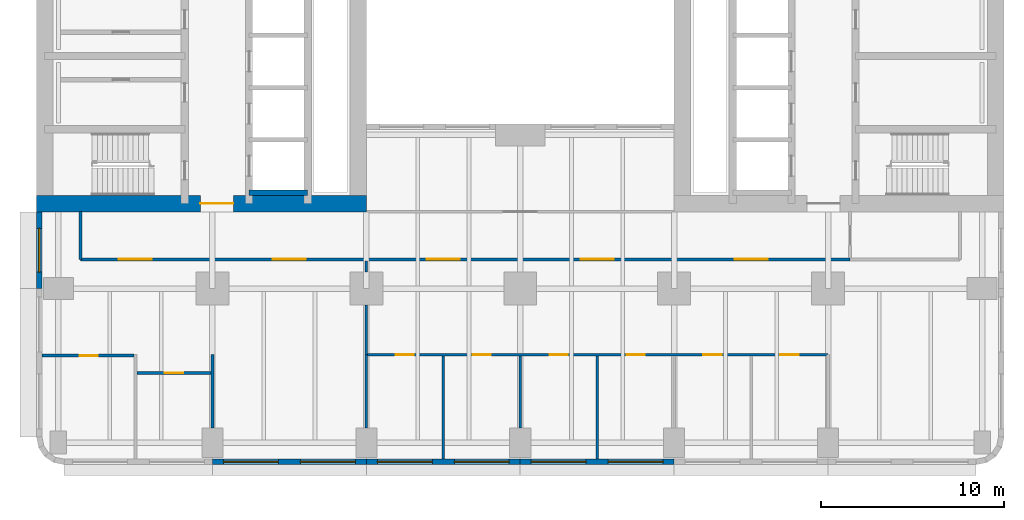
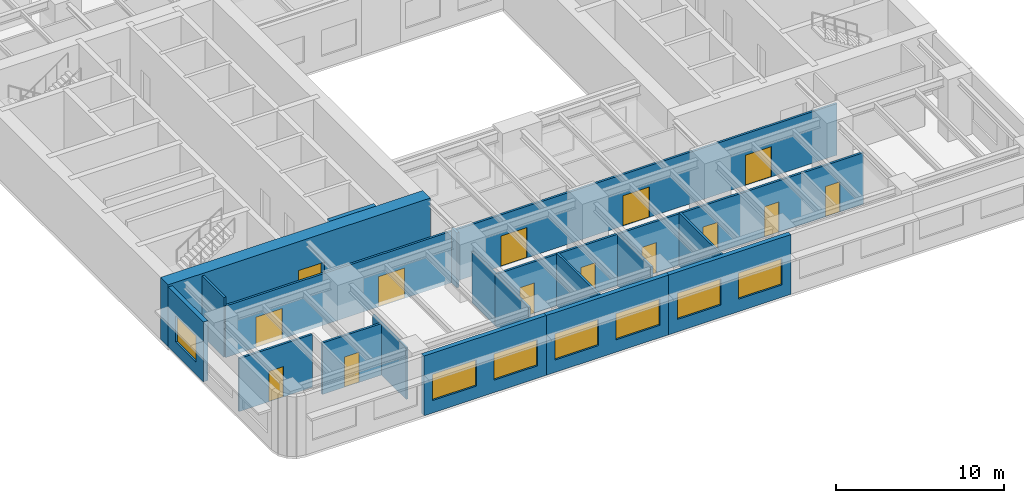
# One storey, part 3 of 12: 18 walls, 14 doors, 7 windows, 21 openings.
"""IFC4 building model written with IfcOpenShell, lengths in metres."""

import ifcopenshell
import ifcopenshell.guid

model = None  # the IFC model being written
_history = None  # IfcOwnerHistory: only IFC2X3 demands one
_inside = {}  # id of a spatial element -> (the spatial element, [elements in it])
_under = {}  # id of a project, library or spatial element -> (it, [spatial elements below it])
_declared = {}  # id of a project -> (the project, [libraries it declares])
_typed = {}  # id of a type object -> (the type object, [elements of that type])
_made_of = {}  # id of a material, layer set ... -> (it, [elements and type objects made of it])


def new_model(schema):
    """Start an empty IFC model of exactly this schema.

    Asked for "IFC4X3", IfcOpenShell would pick the latest addendum, in which some entities
    have other attributes; the version numbers below select the first issue.
    IFC2X3 requires an IfcOwnerHistory on every rooted entity: one is made here for all.
    """
    global model, _history
    if schema == "IFC4X3":
        model = ifcopenshell.file(schema_version=(4, 3, 0, 0))
    else:
        model = ifcopenshell.file(schema=schema)
    _inside.clear()
    _under.clear()
    _declared.clear()
    _typed.clear()
    _made_of.clear()
    _history = None
    if model.schema == "IFC2X3":
        org = make("IfcOrganization", Name="unknown")
        user = make(
            "IfcPersonAndOrganization",
            ThePerson=make("IfcPerson", FamilyName="unknown"),
            TheOrganization=org,
        )
        app = make(
            "IfcApplication",
            ApplicationDeveloper=org,
            Version="unknown",
            ApplicationFullName="unknown",
            ApplicationIdentifier="unknown",
        )
        _history = make(
            "IfcOwnerHistory",
            OwningUser=user,
            OwningApplication=app,
            ChangeAction="ADDED",
            CreationDate=0,
        )
    return model


def make(cls, **values):
    """One entity of the class cls with the attributes given. An attribute that is None is left unset."""
    return model.create_entity(
        cls, **{name: value for name, value in values.items() if value is not None}
    )


def rooted(cls, **values):
    """An entity with a GlobalId (a new one), such as an element, a storey or a relation."""
    return make(cls, GlobalId=ifcopenshell.guid.new(), OwnerHistory=_history, **values)


def si_unit(unit_type, name, prefix=None):
    """IfcSIUnit, for example si_unit("LENGTHUNIT", "METRE", prefix="MILLI")."""
    return make("IfcSIUnit", UnitType=unit_type, Prefix=prefix, Name=name)


def assignment(units):
    """IfcUnitAssignment: the units of a project."""
    return None if units is None else make("IfcUnitAssignment", Units=units)


def point(xyz):
    """IfcCartesianPoint."""
    return None if xyz is None else make("IfcCartesianPoint", Coordinates=xyz)


def direction(xyz):
    """IfcDirection."""
    return None if xyz is None else make("IfcDirection", DirectionRatios=xyz)


def frame(location, z_axis=None, x_axis=None):
    """IfcAxis2Placement3D, a coordinate frame: its origin and axes. An axis left out is left unset."""
    return make(
        "IfcAxis2Placement3D",
        Location=point(location),
        Axis=direction(z_axis),
        RefDirection=direction(x_axis),
    )


def frame_2d(location, x_axis=None):
    """IfcAxis2Placement2D, a coordinate frame in the plane: its origin and x axis."""
    return make(
        "IfcAxis2Placement2D", Location=point(location), RefDirection=direction(x_axis)
    )


def origin():
    """The frame at (0, 0, 0) with its axes left unset."""
    return frame((0.0, 0.0, 0.0))


def place(relative_to, where):
    """IfcLocalPlacement: puts the frame where relative to a parent placement (None: the world)."""
    return make(
        "IfcLocalPlacement", PlacementRelTo=relative_to, RelativePlacement=where
    )


def context(
    kind, dimensions, precision=None, world=None, true_north=None, identifier=None
):
    """IfcGeometricRepresentationContext, for example the 3D "Model" context."""
    return make(
        "IfcGeometricRepresentationContext",
        ContextIdentifier=identifier,
        ContextType=kind,
        CoordinateSpaceDimension=dimensions,
        Precision=precision,
        WorldCoordinateSystem=world,
        TrueNorth=true_north,
    )


def subcontext(parent, identifier, kind, view, scale=None):
    """IfcGeometricRepresentationSubContext, for example "Body" below "Model"."""
    return make(
        "IfcGeometricRepresentationSubContext",
        ContextIdentifier=identifier,
        ContextType=kind,
        ParentContext=parent,
        TargetScale=scale,
        TargetView=view,
    )


def project(units=None, contexts=None):
    """IfcProject with its units and contexts."""
    return rooted(
        "IfcProject",
        Name="project",
        RepresentationContexts=contexts,
        UnitsInContext=assignment(units),
    )


def spatial(cls, under=None, at=None, **own):
    """A site, building, storey or space (cls), placed at a placement, below another one or the project."""
    s = rooted(cls, ObjectPlacement=at, **own)
    if under is not None:
        _under.setdefault(under.id(), (under, []))[1].append(s)
    return s


def profile(cls, at=None, kind="AREA", **sizes):
    """A parametric profile (cls). Its sizes go by their IFC names, for example OverallWidth=200.0."""
    return make(cls, ProfileType=kind, Position=at, **sizes)


def rectangle(**sizes):
    """IfcRectangleProfileDef."""
    return profile("IfcRectangleProfileDef", **sizes)


def extrude(swept, where, along, depth):
    """IfcExtrudedAreaSolid: the profile swept, set in the frame where, extruded along a direction by depth."""
    return make(
        "IfcExtrudedAreaSolid",
        SweptArea=swept,
        Position=where,
        ExtrudedDirection=direction(along),
        Depth=depth,
    )


def shape(context_of_items, identifier, shape_type, items):
    """IfcShapeRepresentation: the items that make up one representation, for example the "Body"."""
    return make(
        "IfcShapeRepresentation",
        ContextOfItems=context_of_items,
        RepresentationIdentifier=identifier,
        RepresentationType=shape_type,
        Items=items,
    )


def material(Name=None, Category=None):
    """IfcMaterial."""
    return make("IfcMaterial", Name=Name, Category=Category)


def layer(
    of_material, thickness, ventilated=None, Name=None, Category=None, Priority=None
):
    """IfcMaterialLayer: one layer of a wall or slab, of a material (None: an air gap)."""
    return make(
        "IfcMaterialLayer",
        Material=of_material,
        LayerThickness=thickness,
        IsVentilated=ventilated,
        Name=Name,
        Category=Category,
        Priority=Priority,
    )


def layer_set(layers, Name=None):
    """IfcMaterialLayerSet."""
    return make("IfcMaterialLayerSet", MaterialLayers=layers, LayerSetName=Name)


def made_of(thing, what):
    """Note that an element or type object is made of a material, layer set ...; save() writes the relation."""
    if what is not None:
        _made_of.setdefault(what.id(), (what, []))[1].append(thing)
    return thing


def type_object(cls, material=None, **own):
    """A type object (cls), such as IfcWallType, which elements share."""
    return made_of(rooted(cls, **own), material)


def element(
    cls,
    number,
    at=None,
    inside=None,
    cuts=None,
    type_object=None,
    material=None,
    context=None,
    identifier="Body",
    shape_type=None,
    held_by="IfcProductDefinitionShape",
    body=None,
    shapes=None,
    **own,
):
    """One element of the class cls, such as IfcWall. Its Tag is "e" and its number.

    at: its placement. inside: the storey or other place that contains it. cuts: it is an
    opening in that element (IfcRelVoidsElement). A single representation is given by context,
    identifier, shape_type and body (its items); several are given by shapes. held_by: the class
    of the entity that holds the representations. save() writes the other relations.
    """
    e = rooted(cls, Tag="e%d" % number, ObjectPlacement=at, **own)
    if body is not None:
        shapes = [shape(context, identifier, shape_type, body)]
    if shapes is not None:
        e.Representation = make(held_by, Representations=shapes)
    if inside is not None:
        _inside.setdefault(inside.id(), (inside, []))[1].append(e)
    if cuts is not None:
        rooted(
            "IfcRelVoidsElement", RelatingBuildingElement=cuts, RelatedOpeningElement=e
        )
    if type_object is not None:
        _typed.setdefault(type_object.id(), (type_object, []))[1].append(e)
    return made_of(e, material)


def fill(opening, filler):
    """IfcRelFillsElement: the door or window that sits in an opening."""
    return rooted(
        "IfcRelFillsElement",
        RelatingOpeningElement=opening,
        RelatedBuildingElement=filler,
    )


def aggregate(whole, parts):
    """IfcRelAggregates: a whole, such as a stair, and the parts it consists of."""
    return rooted("IfcRelAggregates", RelatingObject=whole, RelatedObjects=parts)


def save(model, path):
    """Write the relations noted so far, then the file.

    IfcRelAggregates (storeys below a building ...), IfcRelContainedInSpatialStructure (elements
    in a storey), IfcRelDefinesByType, IfcRelAssociatesMaterial and IfcRelDeclares: one each for
    every whole, place, type object, material and project.
    """
    for whole, parts in _under.values():
        aggregate(whole, parts)
    for where, things in _inside.values():
        rooted(
            "IfcRelContainedInSpatialStructure",
            RelatedElements=things,
            RelatingStructure=where,
        )
    for kind, things in _typed.values():
        rooted("IfcRelDefinesByType", RelatedObjects=things, RelatingType=kind)
    for what, things in _made_of.values():
        rooted("IfcRelAssociatesMaterial", RelatedObjects=things, RelatingMaterial=what)
    for by, libraries in _declared.values():
        rooted("IfcRelDeclares", RelatingContext=by, RelatedDefinitions=libraries)
    model.write(path)


model = new_model("IFC4")

# Units and contexts
model_context = context("Model", 3, precision=1e-05, world=origin(), true_north=direction((0.0, 1.0)))
body_context = subcontext(model_context, "Body", "Model", "MODEL_VIEW")
ifc_project = project(units=[si_unit("LENGTHUNIT", "METRE"), si_unit("AREAUNIT", "SQUARE_METRE"), si_unit("VOLUMEUNIT", "CUBIC_METRE"), si_unit("PLANEANGLEUNIT", "RADIAN"), si_unit("MASSUNIT", "GRAM", prefix="KILO")], contexts=[model_context])

# Site, building, storey
site_placement = place(None, origin())
site = spatial("IfcSite", under=ifc_project, at=site_placement, CompositionType="ELEMENT")
building_placement = place(site_placement, origin())
building = spatial("IfcBuilding", under=site, at=building_placement, Name="Claustro Exchange Tower", CompositionType="ELEMENT")
storey_placement = place(building_placement, frame((0.0, 0.0, 68.39990234375)))
storey = spatial("IfcBuildingStorey", under=building, at=storey_placement, Name="L15", CompositionType="ELEMENT", Elevation=68.39990234375)

# Wall, opening, door
ifc_material_1 = material(Name="Gypsum board on steel studs", Category="steel")
ifc_layer_1 = layer(ifc_material_1, 0.14990234375)
ifc_layer_set_1 = layer_set([ifc_layer_1], Name="Gypsum board on steel studs")
wall_type_1 = type_object("IfcWallType", Name="P1 150 plasterboard partition", PredefinedType="PARTITIONING", material=ifc_layer_set_1)
wall_1_placement = place(storey_placement, frame((-0.902099609375, 4.75, 0.0), z_axis=(0.0, 0.0, 1.0), x_axis=(1.0, 0.0, 0.0)))
wall_1 = element("IfcWall", 1, at=wall_1_placement, inside=storey, type_object=wall_type_1, Name="Partition P1 L15", PredefinedType="PARTITIONING", context=body_context, shape_type="SweptSolid", body=[
    extrude(rectangle(XDim=5.028076171875, YDim=0.14990234375, at=frame_2d((2.51416015625, 0.0))), origin(), (0.0, 0.0, 1.0), 3.840087890625),
])
opening_1_placement = place(wall_1_placement, frame((2.052001953125, 0.0, 0.0)))
opening_1 = element("IfcOpeningElement", 2, at=opening_1_placement, cuts=wall_1, Name="Opening D1", PredefinedType="OPENING", context=body_context, shape_type="SweptSolid", body=[
    extrude(rectangle(XDim=1.0, YDim=2.199951171875, at=frame_2d((0.5, 1.10009765625))), frame((0.0, 0.0849609375, 0.0), z_axis=(0.0, -1.0, 0.0), x_axis=(1.0, 0.0, 0.0)), (0.0, 0.0, 1.0), 0.169921875),
])
ifc_material_2 = material(Name="Timber door, oak veneer", Category="wood")
door_type_1 = type_object("IfcDoorType", Name="D1 1000 x 2200 single door", OperationType="SINGLE_SWING_LEFT", PredefinedType="DOOR", material=ifc_material_2)
door_1_placement = place(opening_1_placement, frame((1.0, 0.0, 0.0), z_axis=(0.0, 0.0, 1.0), x_axis=(-1.0, 0.0, 0.0)))
door_1 = element("IfcDoor", 3, at=door_1_placement, inside=storey, type_object=door_type_1, Name="Door D1 L15", OperationType="SINGLE_SWING_LEFT", OverallHeight=2.199951171875, OverallWidth=1.0, PredefinedType="DOOR", context=body_context, shape_type="SweptSolid", body=[
    extrude(rectangle(XDim=1.0, YDim=2.199951171875, at=frame_2d((0.5, 1.10009765625))), frame((0.0, 0.02490234375, 0.0), z_axis=(0.0, -1.0, 0.0), x_axis=(1.0, 0.0, 0.0)), (0.0, 0.0, 1.0), 0.050048828125),
])
fill(opening_1, door_1)

wall_2_placement = place(storey_placement, frame((4.27392578125, 3.800048828125, 0.0), z_axis=(0.0, 0.0, 1.0), x_axis=(1.0, 0.0, 0.0)))
wall_2 = element("IfcWall", 4, at=wall_2_placement, inside=storey, type_object=wall_type_1, Name="Partition P1 L15", PredefinedType="PARTITIONING", context=body_context, shape_type="SweptSolid", body=[
    extrude(rectangle(XDim=4.052001953125, YDim=0.14990234375, at=frame_2d((2.02587890625, 0.0))), origin(), (0.0, 0.0, 1.0), 3.739990234375),
])
opening_2_placement = place(wall_2_placement, frame((1.52587890625, 0.0, 0.0)))
opening_2 = element("IfcOpeningElement", 5, at=opening_2_placement, cuts=wall_2, Name="Opening D1", PredefinedType="OPENING", context=body_context, shape_type="SweptSolid", body=[
    extrude(rectangle(XDim=1.0, YDim=2.199951171875, at=frame_2d((0.5, 1.10009765625))), frame((0.0, 0.0849609375, 0.0), z_axis=(0.0, -1.0, 0.0), x_axis=(1.0, 0.0, 0.0)), (0.0, 0.0, 1.0), 0.169921875),
])
door_2_placement = place(opening_2_placement, frame((1.0, 0.0, 0.0), z_axis=(0.0, 0.0, 1.0), x_axis=(-1.0, 0.0, 0.0)))
door_2 = element("IfcDoor", 6, at=door_2_placement, inside=storey, type_object=door_type_1, Name="Door D1 L15", OperationType="SINGLE_SWING_RIGHT", OverallHeight=2.199951171875, OverallWidth=1.0, PredefinedType="DOOR", context=body_context, shape_type="SweptSolid", body=[
    extrude(rectangle(XDim=1.0, YDim=2.199951171875, at=frame_2d((0.5, 1.10009765625))), frame((0.0, 0.02490234375, 0.0), z_axis=(0.0, -1.0, 0.0), x_axis=(1.0, 0.0, 0.0)), (0.0, 0.0, 1.0), 0.050048828125),
])
fill(opening_2, door_2)

# Wall
wall_3_placement = place(storey_placement, frame((8.39990234375, 0.799072265625, 0.0), z_axis=(0.0, 0.0, 1.0), x_axis=(0.0, 1.0, 0.0)))
element("IfcWall", 7, at=wall_3_placement, inside=storey, type_object=wall_type_1, Name="Partition P1 L15", PredefinedType="PARTITIONING", context=body_context, shape_type="SweptSolid", body=[
    extrude(rectangle(XDim=4.0009765625, YDim=0.14990234375, at=frame_2d((2.00048828125, 0.0))), origin(), (0.0, 0.0, 1.0), 3.739990234375),
])

# Wall, openings, doors
wall_4_placement = place(storey_placement, frame((16.8740234375, 4.800048828125, 0.0), z_axis=(0.0, 0.0, 1.0), x_axis=(1.0, 0.0, 0.0)))
wall_4 = element("IfcWall", 8, at=wall_4_placement, inside=storey, type_object=wall_type_1, Name="Partition P1 L15", PredefinedType="PARTITIONING", context=body_context, shape_type="SweptSolid", body=[
    extrude(rectangle(XDim=25.1259765625, YDim=0.14990234375, at=frame_2d((12.56298828125, 0.0))), origin(), (0.0, 0.0, 1.0), 3.739990234375),
])
opening_3_placement = place(wall_4_placement, frame((1.52587890625, 0.0, 0.0)))
opening_3 = element("IfcOpeningElement", 9, at=opening_3_placement, cuts=wall_4, Name="Opening D1", PredefinedType="OPENING", context=body_context, shape_type="SweptSolid", body=[
    extrude(rectangle(XDim=1.0, YDim=2.199951171875, at=frame_2d((0.5, 1.10009765625))), frame((0.0, 0.0849609375, 0.0), z_axis=(0.0, -1.0, 0.0), x_axis=(1.0, 0.0, 0.0)), (0.0, 0.0, 1.0), 0.169921875),
])
opening_4_placement = place(wall_4_placement, frame((5.72607421875, 0.0, 0.0)))
opening_4 = element("IfcOpeningElement", 10, at=opening_4_placement, cuts=wall_4, Name="Opening D1", PredefinedType="OPENING", context=body_context, shape_type="SweptSolid", body=[
    extrude(rectangle(XDim=1.0, YDim=2.199951171875, at=frame_2d((0.5, 1.10009765625))), frame((0.0, 0.0849609375, 0.0), z_axis=(0.0, -1.0, 0.0), x_axis=(1.0, 0.0, 0.0)), (0.0, 0.0, 1.0), 0.169921875),
])
opening_5_placement = place(wall_4_placement, frame((9.926025390625, 0.0, 0.0)))
opening_5 = element("IfcOpeningElement", 11, at=opening_5_placement, cuts=wall_4, Name="Opening D1", PredefinedType="OPENING", context=body_context, shape_type="SweptSolid", body=[
    extrude(rectangle(XDim=1.0, YDim=2.199951171875, at=frame_2d((0.5, 1.10009765625))), frame((0.0, 0.0849609375, 0.0), z_axis=(0.0, -1.0, 0.0), x_axis=(1.0, 0.0, 0.0)), (0.0, 0.0, 1.0), 0.169921875),
])
opening_6_placement = place(wall_4_placement, frame((14.1259765625, 0.0, 0.0)))
opening_6 = element("IfcOpeningElement", 12, at=opening_6_placement, cuts=wall_4, Name="Opening D1", PredefinedType="OPENING", context=body_context, shape_type="SweptSolid", body=[
    extrude(rectangle(XDim=1.0, YDim=2.199951171875, at=frame_2d((0.5, 1.10009765625))), frame((0.0, 0.0849609375, 0.0), z_axis=(0.0, -1.0, 0.0), x_axis=(1.0, 0.0, 0.0)), (0.0, 0.0, 1.0), 0.169921875),
])
opening_7_placement = place(wall_4_placement, frame((18.325927734375, 0.0, 0.0)))
opening_7 = element("IfcOpeningElement", 13, at=opening_7_placement, cuts=wall_4, Name="Opening D1", PredefinedType="OPENING", context=body_context, shape_type="SweptSolid", body=[
    extrude(rectangle(XDim=1.0, YDim=2.199951171875, at=frame_2d((0.5, 1.10009765625))), frame((0.0, 0.0849609375, 0.0), z_axis=(0.0, -1.0, 0.0), x_axis=(1.0, 0.0, 0.0)), (0.0, 0.0, 1.0), 0.169921875),
])
opening_8_placement = place(wall_4_placement, frame((22.52587890625, 0.0, 0.0)))
opening_8 = element("IfcOpeningElement", 14, at=opening_8_placement, cuts=wall_4, Name="Opening D1", PredefinedType="OPENING", context=body_context, shape_type="SweptSolid", body=[
    extrude(rectangle(XDim=1.0, YDim=2.199951171875, at=frame_2d((0.5, 1.10009765625))), frame((0.0, 0.0849609375, 0.0), z_axis=(0.0, -1.0, 0.0), x_axis=(1.0, 0.0, 0.0)), (0.0, 0.0, 1.0), 0.169921875),
])
door_3_placement = place(opening_3_placement, frame((1.0, 0.0, 0.0), z_axis=(0.0, 0.0, 1.0), x_axis=(-1.0, 0.0, 0.0)))
door_3 = element("IfcDoor", 15, at=door_3_placement, inside=storey, type_object=door_type_1, Name="Door D1 L15", OperationType="SINGLE_SWING_RIGHT", OverallHeight=2.199951171875, OverallWidth=1.0, PredefinedType="DOOR", context=body_context, shape_type="SweptSolid", body=[
    extrude(rectangle(XDim=1.0, YDim=2.199951171875, at=frame_2d((0.5, 1.10009765625))), frame((0.0, 0.02490234375, 0.0), z_axis=(0.0, -1.0, 0.0), x_axis=(1.0, 0.0, 0.0)), (0.0, 0.0, 1.0), 0.050048828125),
])
fill(opening_3, door_3)
door_4_placement = place(opening_4_placement, frame((1.0, 0.0, 0.0), z_axis=(0.0, 0.0, 1.0), x_axis=(-1.0, 0.0, 0.0)))
door_4 = element("IfcDoor", 16, at=door_4_placement, inside=storey, type_object=door_type_1, Name="Door D1 L15", OperationType="SINGLE_SWING_RIGHT", OverallHeight=2.199951171875, OverallWidth=1.0, PredefinedType="DOOR", context=body_context, shape_type="SweptSolid", body=[
    extrude(rectangle(XDim=1.0, YDim=2.199951171875, at=frame_2d((0.5, 1.10009765625))), frame((0.0, 0.02490234375, 0.0), z_axis=(0.0, -1.0, 0.0), x_axis=(1.0, 0.0, 0.0)), (0.0, 0.0, 1.0), 0.050048828125),
])
fill(opening_4, door_4)
door_5_placement = place(opening_5_placement, frame((1.0, 0.0, 0.0), z_axis=(0.0, 0.0, 1.0), x_axis=(-1.0, 0.0, 0.0)))
door_5 = element("IfcDoor", 17, at=door_5_placement, inside=storey, type_object=door_type_1, Name="Door D1 L15", OperationType="SINGLE_SWING_RIGHT", OverallHeight=2.199951171875, OverallWidth=1.0, PredefinedType="DOOR", context=body_context, shape_type="SweptSolid", body=[
    extrude(rectangle(XDim=1.0, YDim=2.199951171875, at=frame_2d((0.5, 1.10009765625))), frame((0.0, 0.02490234375, 0.0), z_axis=(0.0, -1.0, 0.0), x_axis=(1.0, 0.0, 0.0)), (0.0, 0.0, 1.0), 0.050048828125),
])
fill(opening_5, door_5)
door_6_placement = place(opening_6_placement, frame((1.0, 0.0, 0.0), z_axis=(0.0, 0.0, 1.0), x_axis=(-1.0, 0.0, 0.0)))
door_6 = element("IfcDoor", 18, at=door_6_placement, inside=storey, type_object=door_type_1, Name="Door D1 L15", OperationType="SINGLE_SWING_RIGHT", OverallHeight=2.199951171875, OverallWidth=1.0, PredefinedType="DOOR", context=body_context, shape_type="SweptSolid", body=[
    extrude(rectangle(XDim=1.0, YDim=2.199951171875, at=frame_2d((0.5, 1.10009765625))), frame((0.0, 0.02490234375, 0.0), z_axis=(0.0, -1.0, 0.0), x_axis=(1.0, 0.0, 0.0)), (0.0, 0.0, 1.0), 0.050048828125),
])
fill(opening_6, door_6)
door_7_placement = place(opening_7_placement, frame((1.0, 0.0, 0.0), z_axis=(0.0, 0.0, 1.0), x_axis=(-1.0, 0.0, 0.0)))
door_7 = element("IfcDoor", 19, at=door_7_placement, inside=storey, type_object=door_type_1, Name="Door D1 L15", OperationType="SINGLE_SWING_RIGHT", OverallHeight=2.199951171875, OverallWidth=1.0, PredefinedType="DOOR", context=body_context, shape_type="SweptSolid", body=[
    extrude(rectangle(XDim=1.0, YDim=2.199951171875, at=frame_2d((0.5, 1.10009765625))), frame((0.0, 0.02490234375, 0.0), z_axis=(0.0, -1.0, 0.0), x_axis=(1.0, 0.0, 0.0)), (0.0, 0.0, 1.0), 0.050048828125),
])
fill(opening_7, door_7)
door_8_placement = place(opening_8_placement, frame((1.0, 0.0, 0.0), z_axis=(0.0, 0.0, 1.0), x_axis=(-1.0, 0.0, 0.0)))
door_8 = element("IfcDoor", 20, at=door_8_placement, inside=storey, type_object=door_type_1, Name="Door D1 L15", OperationType="SINGLE_SWING_RIGHT", OverallHeight=2.199951171875, OverallWidth=1.0, PredefinedType="DOOR", context=body_context, shape_type="SweptSolid", body=[
    extrude(rectangle(XDim=1.0, YDim=2.199951171875, at=frame_2d((0.5, 1.10009765625))), frame((0.0, 0.02490234375, 0.0), z_axis=(0.0, -1.0, 0.0), x_axis=(1.0, 0.0, 0.0)), (0.0, 0.0, 1.0), 0.050048828125),
])
fill(opening_8, door_8)

# Walls
wall_5_placement = place(storey_placement, frame((16.800048828125, 0.799072265625, 0.0), z_axis=(0.0, 0.0, 1.0), x_axis=(0.0, 1.0, 0.0)))
element("IfcWall", 21, at=wall_5_placement, inside=storey, type_object=wall_type_1, Name="Partition P1 L15", PredefinedType="PARTITIONING", context=body_context, shape_type="SweptSolid", body=[
    extrude(rectangle(XDim=4.0029296875, YDim=0.14990234375, at=frame_2d((2.00146484375, 0.0))), origin(), (0.0, 0.0, 1.0), 3.739990234375),
])
wall_6_placement = place(storey_placement, frame((21.0, -0.902099609375, 0.0), z_axis=(0.0, 0.0, 1.0), x_axis=(0.0, 1.0, 0.0)))
element("IfcWall", 22, at=wall_6_placement, inside=storey, type_object=wall_type_1, Name="Partition P1 L15", PredefinedType="PARTITIONING", context=body_context, shape_type="SweptSolid", body=[
    extrude(rectangle(XDim=5.628173828125, YDim=0.14990234375, at=frame_2d((2.81396484375, 0.0))), origin(), (0.0, 0.0, 1.0), 3.840087890625),
])
wall_7_placement = place(storey_placement, frame((25.199951171875, 0.799072265625, 0.0), z_axis=(0.0, 0.0, 1.0), x_axis=(0.0, 1.0, 0.0)))
element("IfcWall", 23, at=wall_7_placement, inside=storey, type_object=wall_type_1, Name="Partition P1 L15", PredefinedType="PARTITIONING", context=body_context, shape_type="SweptSolid", body=[
    extrude(rectangle(XDim=3.927001953125, YDim=0.14990234375, at=frame_2d((1.96337890625, 0.0))), origin(), (0.0, 0.0, 1.0), 3.739990234375),
])
wall_8_placement = place(storey_placement, frame((29.39990234375, -0.902099609375, 0.0), z_axis=(0.0, 0.0, 1.0), x_axis=(0.0, 1.0, 0.0)))
element("IfcWall", 24, at=wall_8_placement, inside=storey, type_object=wall_type_1, Name="Partition P1 L15", PredefinedType="PARTITIONING", context=body_context, shape_type="SweptSolid", body=[
    extrude(rectangle(XDim=5.628173828125, YDim=0.14990234375, at=frame_2d((2.81396484375, 0.0))), origin(), (0.0, 0.0, 1.0), 3.840087890625),
])
wall_9_placement = place(storey_placement, frame((16.800048828125, 4.798095703125, 0.0), z_axis=(0.0, 0.0, 1.0), x_axis=(0.0, 1.0, 0.0)))
element("IfcWall", 25, at=wall_9_placement, inside=storey, type_object=wall_type_1, Name="Partition P1 L15", PredefinedType="PARTITIONING", context=body_context, shape_type="SweptSolid", body=[
    extrude(rectangle(XDim=2.702880859375, YDim=0.14990234375, at=frame_2d((1.3515625, 0.0))), origin(), (0.0, 0.0, 1.0), 3.739990234375),
])
wall_10_placement = place(storey_placement, frame((16.800048828125, 9.299072265625, 0.0), z_axis=(0.0, 0.0, 1.0), x_axis=(0.0, 1.0, 0.0)))
element("IfcWall", 26, at=wall_10_placement, inside=storey, type_object=wall_type_1, Name="Partition P1 L15", PredefinedType="PARTITIONING", context=body_context, shape_type="SweptSolid", body=[
    extrude(rectangle(XDim=0.626953125, YDim=0.14990234375, at=frame_2d((0.3134765625, 0.0))), origin(), (0.0, 0.0, 1.0), 3.97998046875),
])

# Wall, openings, doors
wall_11_placement = place(storey_placement, frame((1.199951171875, 10.0, 0.0), z_axis=(0.0, 0.0, 1.0), x_axis=(1.0, 0.0, 0.0)))
wall_11 = element("IfcWall", 27, at=wall_11_placement, inside=storey, type_object=wall_type_1, Name="Partition P1 L15", PredefinedType="PARTITIONING", context=body_context, shape_type="SweptSolid", body=[
    extrude(rectangle(XDim=42.001953125, YDim=0.14990234375, at=frame_2d((21.0009765625, 0.0))), origin(), (0.0, 0.0, 1.0), 3.739990234375),
])
opening_9_placement = place(wall_11_placement, frame((2.10009765625, 0.0, 0.0)))
opening_9 = element("IfcOpeningElement", 28, at=opening_9_placement, cuts=wall_11, Name="Opening D2", PredefinedType="OPENING", context=body_context, shape_type="SweptSolid", body=[
    extrude(rectangle(XDim=1.800048828125, YDim=2.199951171875, at=frame_2d((0.89990234375, 1.10009765625))), frame((0.0, 0.0849609375, 0.0), z_axis=(0.0, -1.0, 0.0), x_axis=(1.0, 0.0, 0.0)), (0.0, 0.0, 1.0), 0.169921875),
])
opening_10_placement = place(wall_11_placement, frame((10.5, 0.0, 0.0)))
opening_10 = element("IfcOpeningElement", 29, at=opening_10_placement, cuts=wall_11, Name="Opening D2", PredefinedType="OPENING", context=body_context, shape_type="SweptSolid", body=[
    extrude(rectangle(XDim=1.800048828125, YDim=2.199951171875, at=frame_2d((0.89990234375, 1.10009765625))), frame((0.0, 0.0849609375, 0.0), z_axis=(0.0, -1.0, 0.0), x_axis=(1.0, 0.0, 0.0)), (0.0, 0.0, 1.0), 0.169921875),
])
opening_11_placement = place(wall_11_placement, frame((18.89990234375, 0.0, 0.0)))
opening_11 = element("IfcOpeningElement", 30, at=opening_11_placement, cuts=wall_11, Name="Opening D2", PredefinedType="OPENING", context=body_context, shape_type="SweptSolid", body=[
    extrude(rectangle(XDim=1.800048828125, YDim=2.199951171875, at=frame_2d((0.89990234375, 1.10009765625))), frame((0.0, 0.0849609375, 0.0), z_axis=(0.0, -1.0, 0.0), x_axis=(1.0, 0.0, 0.0)), (0.0, 0.0, 1.0), 0.169921875),
])
opening_12_placement = place(wall_11_placement, frame((27.300048828125, 0.0, 0.0)))
opening_12 = element("IfcOpeningElement", 31, at=opening_12_placement, cuts=wall_11, Name="Opening D2", PredefinedType="OPENING", context=body_context, shape_type="SweptSolid", body=[
    extrude(rectangle(XDim=1.800048828125, YDim=2.199951171875, at=frame_2d((0.89990234375, 1.10009765625))), frame((0.0, 0.0849609375, 0.0), z_axis=(0.0, -1.0, 0.0), x_axis=(1.0, 0.0, 0.0)), (0.0, 0.0, 1.0), 0.169921875),
])
opening_13_placement = place(wall_11_placement, frame((35.699951171875, 0.0, 0.0)))
opening_13 = element("IfcOpeningElement", 32, at=opening_13_placement, cuts=wall_11, Name="Opening D2", PredefinedType="OPENING", context=body_context, shape_type="SweptSolid", body=[
    extrude(rectangle(XDim=1.800048828125, YDim=2.199951171875, at=frame_2d((0.89990234375, 1.10009765625))), frame((0.0, 0.0849609375, 0.0), z_axis=(0.0, -1.0, 0.0), x_axis=(1.0, 0.0, 0.0)), (0.0, 0.0, 1.0), 0.169921875),
])
ifc_material_3 = material(Name="Timber door, oak veneer", Category="wood")
door_type_2 = type_object("IfcDoorType", Name="D2 1800 x 2200 double door", OperationType="DOUBLE_DOOR_SINGLE_SWING", PredefinedType="DOOR", material=ifc_material_3)
door_9_placement = place(opening_9_placement, frame((1.800048828125, 0.0, 0.0), z_axis=(0.0, 0.0, 1.0), x_axis=(-1.0, 0.0, 0.0)))
door_9 = element("IfcDoor", 33, at=door_9_placement, inside=storey, type_object=door_type_2, Name="Double door D2 L15", OperationType="DOUBLE_DOOR_SINGLE_SWING", OverallHeight=2.199951171875, OverallWidth=1.800048828125, PredefinedType="DOOR", context=body_context, shape_type="SweptSolid", body=[
    extrude(rectangle(XDim=1.800048828125, YDim=2.199951171875, at=frame_2d((0.89990234375, 1.10009765625))), frame((0.0, 0.02490234375, 0.0), z_axis=(0.0, -1.0, 0.0), x_axis=(1.0, 0.0, 0.0)), (0.0, 0.0, 1.0), 0.050048828125),
])
fill(opening_9, door_9)
door_10_placement = place(opening_10_placement, frame((1.800048828125, 0.0, 0.0), z_axis=(0.0, 0.0, 1.0), x_axis=(-1.0, 0.0, 0.0)))
door_10 = element("IfcDoor", 34, at=door_10_placement, inside=storey, type_object=door_type_2, Name="Double door D2 L15", OperationType="DOUBLE_DOOR_SINGLE_SWING", OverallHeight=2.199951171875, OverallWidth=1.800048828125, PredefinedType="DOOR", context=body_context, shape_type="SweptSolid", body=[
    extrude(rectangle(XDim=1.800048828125, YDim=2.199951171875, at=frame_2d((0.89990234375, 1.10009765625))), frame((0.0, 0.02490234375, 0.0), z_axis=(0.0, -1.0, 0.0), x_axis=(1.0, 0.0, 0.0)), (0.0, 0.0, 1.0), 0.050048828125),
])
fill(opening_10, door_10)
door_11_placement = place(opening_11_placement, frame((1.800048828125, 0.0, 0.0), z_axis=(0.0, 0.0, 1.0), x_axis=(-1.0, 0.0, 0.0)))
door_11 = element("IfcDoor", 35, at=door_11_placement, inside=storey, type_object=door_type_2, Name="Double door D2 L15", OperationType="DOUBLE_DOOR_SINGLE_SWING", OverallHeight=2.199951171875, OverallWidth=1.800048828125, PredefinedType="DOOR", context=body_context, shape_type="SweptSolid", body=[
    extrude(rectangle(XDim=1.800048828125, YDim=2.199951171875, at=frame_2d((0.89990234375, 1.10009765625))), frame((0.0, 0.02490234375, 0.0), z_axis=(0.0, -1.0, 0.0), x_axis=(1.0, 0.0, 0.0)), (0.0, 0.0, 1.0), 0.050048828125),
])
fill(opening_11, door_11)
door_12_placement = place(opening_12_placement, frame((1.800048828125, 0.0, 0.0), z_axis=(0.0, 0.0, 1.0), x_axis=(-1.0, 0.0, 0.0)))
door_12 = element("IfcDoor", 36, at=door_12_placement, inside=storey, type_object=door_type_2, Name="Double door D2 L15", OperationType="DOUBLE_DOOR_SINGLE_SWING", OverallHeight=2.199951171875, OverallWidth=1.800048828125, PredefinedType="DOOR", context=body_context, shape_type="SweptSolid", body=[
    extrude(rectangle(XDim=1.800048828125, YDim=2.199951171875, at=frame_2d((0.89990234375, 1.10009765625))), frame((0.0, 0.02490234375, 0.0), z_axis=(0.0, -1.0, 0.0), x_axis=(1.0, 0.0, 0.0)), (0.0, 0.0, 1.0), 0.050048828125),
])
fill(opening_12, door_12)
door_13_placement = place(opening_13_placement, frame((1.800048828125, 0.0, 0.0), z_axis=(0.0, 0.0, 1.0), x_axis=(-1.0, 0.0, 0.0)))
door_13 = element("IfcDoor", 37, at=door_13_placement, inside=storey, type_object=door_type_2, Name="Double door D2 L15", OperationType="DOUBLE_DOOR_SINGLE_SWING", OverallHeight=2.199951171875, OverallWidth=1.800048828125, PredefinedType="DOOR", context=body_context, shape_type="SweptSolid", body=[
    extrude(rectangle(XDim=1.800048828125, YDim=2.199951171875, at=frame_2d((0.89990234375, 1.10009765625))), frame((0.0, 0.02490234375, 0.0), z_axis=(0.0, -1.0, 0.0), x_axis=(1.0, 0.0, 0.0)), (0.0, 0.0, 1.0), 0.050048828125),
])
fill(opening_13, door_13)

# Wall
wall_12_placement = place(storey_placement, frame((1.199951171875, 10.0, 0.0), z_axis=(0.0, 0.0, 1.0), x_axis=(0.0, 1.0, 0.0)))
element("IfcWall", 38, at=wall_12_placement, inside=storey, type_object=wall_type_1, Name="Partition P1 L15", PredefinedType="PARTITIONING", context=body_context, shape_type="SweptSolid", body=[
    extrude(rectangle(XDim=2.60205078125, YDim=0.14990234375, at=frame_2d((1.301025390625, 0.0))), origin(), (0.0, 0.0, 1.0), 4.340087890625),
])

# Wall, openings, windows
ifc_material_4 = material(Name="Concrete HA-40 (C40/50), precast, white cement, acid-etched", Category="concrete")
ifc_layer_2 = layer(ifc_material_4, 0.300048828125)
ifc_layer_set_2 = layer_set([ifc_layer_2], Name="Concrete HA-40 (C40/50), precast, white cement, acid-etched")
wall_type_2 = type_object("IfcWallType", Name="PC1 300 precast concrete pier panel", PredefinedType="SOLIDWALL", material=ifc_layer_set_2)
wall_13_placement = place(storey_placement, frame((33.60009765625, -1.050048828125, 0.0), z_axis=(0.0, 0.0, 1.0), x_axis=(-1.0, 0.0, 0.0)))
wall_13 = element("IfcWall", 39, at=wall_13_placement, inside=storey, type_object=wall_type_2, Name="Precast pier panel PC1 L15", PredefinedType="SOLIDWALL", context=body_context, shape_type="SweptSolid", body=[
    extrude(rectangle(XDim=8.400146484375, YDim=0.300048828125, at=frame_2d((4.2001953125, 0.0))), origin(), (0.0, 0.0, 1.0), 4.340087890625),
])
opening_14_placement = place(wall_13_placement, frame((0.60009765625, 0.0, 0.89990234375)))
opening_14 = element("IfcOpeningElement", 40, at=opening_14_placement, cuts=wall_13, Name="Opening W1", PredefinedType="OPENING", context=body_context, shape_type="SweptSolid", body=[
    extrude(rectangle(XDim=3.0, YDim=1.89990234375, at=frame_2d((1.5, 0.949951171875))), frame((0.0, 0.159912109375, 0.0), z_axis=(0.0, -1.0, 0.0), x_axis=(1.0, 0.0, 0.0)), (0.0, 0.0, 1.0), 0.320068359375),
])
opening_15_placement = place(wall_13_placement, frame((4.800048828125, 0.0, 0.89990234375)))
opening_15 = element("IfcOpeningElement", 41, at=opening_15_placement, cuts=wall_13, Name="Opening W1", PredefinedType="OPENING", context=body_context, shape_type="SweptSolid", body=[
    extrude(rectangle(XDim=3.0, YDim=1.89990234375, at=frame_2d((1.5, 0.949951171875))), frame((0.0, 0.159912109375, 0.0), z_axis=(0.0, -1.0, 0.0), x_axis=(1.0, 0.0, 0.0)), (0.0, 0.0, 1.0), 0.320068359375),
])
ifc_material_5 = material(Name="Aluminium frame, clear double glazing", Category="aluminium")
window_type_1 = type_object("IfcWindowType", Name="W1 3000 x 1900 window", PartitioningType="SINGLE_PANEL", PredefinedType="WINDOW", material=ifc_material_5)
window_1_placement = place(opening_14_placement, origin())
window_1 = element("IfcWindow", 42, at=window_1_placement, inside=storey, type_object=window_type_1, Name="Window W1 L15", OverallHeight=1.89990234375, OverallWidth=3.0, PartitioningType="SINGLE_PANEL", PredefinedType="WINDOW", context=body_context, shape_type="SweptSolid", body=[
    extrude(rectangle(XDim=3.0, YDim=1.89990234375, at=frame_2d((1.5, 0.949951171875))), frame((0.0, 0.030029296875, 0.0), z_axis=(0.0, -1.0, 0.0), x_axis=(1.0, 0.0, 0.0)), (0.0, 0.0, 1.0), 0.06005859375),
])
fill(opening_14, window_1)
window_2_placement = place(opening_15_placement, origin())
window_2 = element("IfcWindow", 43, at=window_2_placement, inside=storey, type_object=window_type_1, Name="Window W1 L15", OverallHeight=1.89990234375, OverallWidth=3.0, PartitioningType="SINGLE_PANEL", PredefinedType="WINDOW", context=body_context, shape_type="SweptSolid", body=[
    extrude(rectangle(XDim=3.0, YDim=1.89990234375, at=frame_2d((1.5, 0.949951171875))), frame((0.0, 0.030029296875, 0.0), z_axis=(0.0, -1.0, 0.0), x_axis=(1.0, 0.0, 0.0)), (0.0, 0.0, 1.0), 0.06005859375),
])
fill(opening_15, window_2)

wall_14_placement = place(storey_placement, frame((25.199951171875, -1.050048828125, 0.0), z_axis=(0.0, 0.0, 1.0), x_axis=(-1.0, 0.0, 0.0)))
wall_14 = element("IfcWall", 44, at=wall_14_placement, inside=storey, type_object=wall_type_2, Name="Precast pier panel PC1 L15", PredefinedType="SOLIDWALL", context=body_context, shape_type="SweptSolid", body=[
    extrude(rectangle(XDim=8.39990234375, YDim=0.300048828125, at=frame_2d((4.199951171875, 0.0))), origin(), (0.0, 0.0, 1.0), 4.340087890625),
])
opening_16_placement = place(wall_14_placement, frame((0.60009765625, 0.0, 0.89990234375)))
opening_16 = element("IfcOpeningElement", 45, at=opening_16_placement, cuts=wall_14, Name="Opening W1", PredefinedType="OPENING", context=body_context, shape_type="SweptSolid", body=[
    extrude(rectangle(XDim=3.0, YDim=1.89990234375, at=frame_2d((1.5, 0.949951171875))), frame((0.0, 0.159912109375, 0.0), z_axis=(0.0, -1.0, 0.0), x_axis=(1.0, 0.0, 0.0)), (0.0, 0.0, 1.0), 0.320068359375),
])
opening_17_placement = place(wall_14_placement, frame((4.800048828125, 0.0, 0.89990234375)))
opening_17 = element("IfcOpeningElement", 46, at=opening_17_placement, cuts=wall_14, Name="Opening W1", PredefinedType="OPENING", context=body_context, shape_type="SweptSolid", body=[
    extrude(rectangle(XDim=3.0, YDim=1.89990234375, at=frame_2d((1.5, 0.949951171875))), frame((0.0, 0.159912109375, 0.0), z_axis=(0.0, -1.0, 0.0), x_axis=(1.0, 0.0, 0.0)), (0.0, 0.0, 1.0), 0.320068359375),
])
window_3_placement = place(opening_16_placement, origin())
window_3 = element("IfcWindow", 47, at=window_3_placement, inside=storey, type_object=window_type_1, Name="Window W1 L15", OverallHeight=1.89990234375, OverallWidth=3.0, PartitioningType="SINGLE_PANEL", PredefinedType="WINDOW", context=body_context, shape_type="SweptSolid", body=[
    extrude(rectangle(XDim=3.0, YDim=1.89990234375, at=frame_2d((1.5, 0.949951171875))), frame((0.0, 0.030029296875, 0.0), z_axis=(0.0, -1.0, 0.0), x_axis=(1.0, 0.0, 0.0)), (0.0, 0.0, 1.0), 0.06005859375),
])
fill(opening_16, window_3)
window_4_placement = place(opening_17_placement, origin())
window_4 = element("IfcWindow", 48, at=window_4_placement, inside=storey, type_object=window_type_1, Name="Window W1 L15", OverallHeight=1.89990234375, OverallWidth=3.0, PartitioningType="SINGLE_PANEL", PredefinedType="WINDOW", context=body_context, shape_type="SweptSolid", body=[
    extrude(rectangle(XDim=3.0, YDim=1.89990234375, at=frame_2d((1.5, 0.949951171875))), frame((0.0, 0.030029296875, 0.0), z_axis=(0.0, -1.0, 0.0), x_axis=(1.0, 0.0, 0.0)), (0.0, 0.0, 1.0), 0.06005859375),
])
fill(opening_17, window_4)

wall_15_placement = place(storey_placement, frame((16.800048828125, -1.050048828125, 0.0), z_axis=(0.0, 0.0, 1.0), x_axis=(-1.0, 0.0, 0.0)))
wall_15 = element("IfcWall", 49, at=wall_15_placement, inside=storey, type_object=wall_type_2, Name="Precast pier panel PC1 L15", PredefinedType="SOLIDWALL", context=body_context, shape_type="SweptSolid", body=[
    extrude(rectangle(XDim=8.400146484375, YDim=0.300048828125, at=frame_2d((4.2001953125, 0.0))), origin(), (0.0, 0.0, 1.0), 4.340087890625),
])
opening_18_placement = place(wall_15_placement, frame((0.60009765625, 0.0, 0.89990234375)))
opening_18 = element("IfcOpeningElement", 50, at=opening_18_placement, cuts=wall_15, Name="Opening W1", PredefinedType="OPENING", context=body_context, shape_type="SweptSolid", body=[
    extrude(rectangle(XDim=3.0, YDim=1.89990234375, at=frame_2d((1.5, 0.949951171875))), frame((0.0, 0.159912109375, 0.0), z_axis=(0.0, -1.0, 0.0), x_axis=(1.0, 0.0, 0.0)), (0.0, 0.0, 1.0), 0.320068359375),
])
opening_19_placement = place(wall_15_placement, frame((4.800048828125, 0.0, 0.89990234375)))
opening_19 = element("IfcOpeningElement", 51, at=opening_19_placement, cuts=wall_15, Name="Opening W1", PredefinedType="OPENING", context=body_context, shape_type="SweptSolid", body=[
    extrude(rectangle(XDim=3.0, YDim=1.89990234375, at=frame_2d((1.5, 0.949951171875))), frame((0.0, 0.159912109375, 0.0), z_axis=(0.0, -1.0, 0.0), x_axis=(1.0, 0.0, 0.0)), (0.0, 0.0, 1.0), 0.320068359375),
])
window_5_placement = place(opening_18_placement, origin())
window_5 = element("IfcWindow", 52, at=window_5_placement, inside=storey, type_object=window_type_1, Name="Window W1 L15", OverallHeight=1.89990234375, OverallWidth=3.0, PartitioningType="SINGLE_PANEL", PredefinedType="WINDOW", context=body_context, shape_type="SweptSolid", body=[
    extrude(rectangle(XDim=3.0, YDim=1.89990234375, at=frame_2d((1.5, 0.949951171875))), frame((0.0, 0.030029296875, 0.0), z_axis=(0.0, -1.0, 0.0), x_axis=(1.0, 0.0, 0.0)), (0.0, 0.0, 1.0), 0.06005859375),
])
fill(opening_18, window_5)
window_6_placement = place(opening_19_placement, origin())
window_6 = element("IfcWindow", 53, at=window_6_placement, inside=storey, type_object=window_type_1, Name="Window W1 L15", OverallHeight=1.89990234375, OverallWidth=3.0, PartitioningType="SINGLE_PANEL", PredefinedType="WINDOW", context=body_context, shape_type="SweptSolid", body=[
    extrude(rectangle(XDim=3.0, YDim=1.89990234375, at=frame_2d((1.5, 0.949951171875))), frame((0.0, 0.030029296875, 0.0), z_axis=(0.0, -1.0, 0.0), x_axis=(1.0, 0.0, 0.0)), (0.0, 0.0, 1.0), 0.06005859375),
])
fill(opening_19, window_6)

# Wall, opening, window
wall_16_placement = place(storey_placement, frame((-1.050048828125, 8.39990234375, 0.0), z_axis=(0.0, 0.0, 1.0), x_axis=(0.0, 1.0, 0.0)))
wall_16 = element("IfcWall", 54, at=wall_16_placement, inside=storey, type_object=wall_type_2, Name="Precast pier panel PC1 L15", PredefinedType="SOLIDWALL", context=body_context, shape_type="SweptSolid", body=[
    extrude(rectangle(XDim=4.2001953125, YDim=0.300048828125, at=frame_2d((2.10009765625, 0.0))), origin(), (0.0, 0.0, 1.0), 4.340087890625),
])
opening_20_placement = place(wall_16_placement, frame((0.89990234375, 0.0, 0.89990234375)))
opening_20 = element("IfcOpeningElement", 55, at=opening_20_placement, cuts=wall_16, Name="Opening W2", PredefinedType="OPENING", context=body_context, shape_type="SweptSolid", body=[
    extrude(rectangle(XDim=2.39990234375, YDim=1.89990234375, at=frame_2d((1.199951171875, 0.949951171875))), frame((0.0, 0.159912109375, 0.0), z_axis=(0.0, -1.0, 0.0), x_axis=(1.0, 0.0, 0.0)), (0.0, 0.0, 1.0), 0.320068359375),
])
ifc_material_6 = material(Name="Aluminium frame, clear double glazing", Category="aluminium")
window_type_2 = type_object("IfcWindowType", Name="W2 2400 x 1900 window", PartitioningType="SINGLE_PANEL", PredefinedType="WINDOW", material=ifc_material_6)
window_7_placement = place(opening_20_placement, origin())
window_7 = element("IfcWindow", 56, at=window_7_placement, inside=storey, type_object=window_type_2, Name="Window W2 L15", OverallHeight=1.89990234375, OverallWidth=2.39990234375, PartitioningType="SINGLE_PANEL", PredefinedType="WINDOW", context=body_context, shape_type="SweptSolid", body=[
    extrude(rectangle(XDim=2.39990234375, YDim=1.89990234375, at=frame_2d((1.199951171875, 0.949951171875))), frame((0.0, 0.030029296875, 0.0), z_axis=(0.0, -1.0, 0.0), x_axis=(1.0, 0.0, 0.0)), (0.0, 0.0, 1.0), 0.06005859375),
])
fill(opening_20, window_7)

# Wall, opening, door
ifc_material_7 = material(Name="Concrete HA-70 (C70/85)", Category="concrete")
ifc_layer_3 = layer(ifc_material_7, 0.89990234375)
ifc_layer_set_3 = layer_set([ifc_layer_3], Name="Concrete HA-70 (C70/85)")
wall_type_3 = type_object("IfcWallType", Name="SW1 900 core shear wall", PredefinedType="SHEAR", material=ifc_layer_set_3)
wall_17_placement = place(storey_placement, frame((-1.199951171875, 13.050048828125, 0.0), z_axis=(0.0, 0.0, 1.0), x_axis=(1.0, 0.0, 0.0)))
wall_17 = element("IfcWall", 57, at=wall_17_placement, inside=storey, type_object=wall_type_3, Name="Core wall SW1 W core S face L15", PredefinedType="SHEAR", context=body_context, shape_type="SweptSolid", body=[
    extrude(rectangle(XDim=18.0, YDim=0.89990234375, at=frame_2d((9.0, 0.0))), origin(), (0.0, 0.0, 1.0), 4.5),
])
opening_21_placement = place(wall_17_placement, frame((8.949951171875, 0.0, 0.0)))
opening_21 = element("IfcOpeningElement", 58, at=opening_21_placement, cuts=wall_17, Name="Opening D3", PredefinedType="OPENING", context=body_context, shape_type="SweptSolid", body=[
    extrude(rectangle(XDim=1.800048828125, YDim=2.39990234375, at=frame_2d((0.89990234375, 1.199951171875))), frame((0.0, 0.4599609375, 0.0), z_axis=(0.0, -1.0, 0.0), x_axis=(1.0, 0.0, 0.0)), (0.0, 0.0, 1.0), 0.919921875),
])
ifc_material_8 = material(Name="Steel fire door, painted", Category="steel")
door_type_3 = type_object("IfcDoorType", Name="D3 1800 x 2400 fire-rated lobby double door", OperationType="DOUBLE_DOOR_SINGLE_SWING", PredefinedType="DOOR", material=ifc_material_8)
door_14_placement = place(opening_21_placement, origin())
door_14 = element("IfcDoor", 59, at=door_14_placement, inside=storey, type_object=door_type_3, Name="Lift lobby door D3 L15", OperationType="DOUBLE_DOOR_SINGLE_SWING", OverallHeight=2.39990234375, OverallWidth=1.800048828125, PredefinedType="DOOR", context=body_context, shape_type="SweptSolid", body=[
    extrude(rectangle(XDim=1.800048828125, YDim=2.39990234375, at=frame_2d((0.89990234375, 1.199951171875))), frame((0.0, 0.02490234375, 0.0), z_axis=(0.0, -1.0, 0.0), x_axis=(1.0, 0.0, 0.0)), (0.0, 0.0, 1.0), 0.050048828125),
])
fill(opening_21, door_14)

# Wall
ifc_material_9 = material(Name="Concrete HA-50 (C50/60)", Category="concrete")
ifc_layer_4 = layer(ifc_material_9, 0.300048828125)
ifc_layer_set_4 = layer_set([ifc_layer_4], Name="Concrete HA-50 (C50/60)")
wall_type_4 = type_object("IfcWallType", Name="SW6A 300 lift shaft end wall", PredefinedType="SHEAR", material=ifc_layer_set_4)
wall_18_placement = place(storey_placement, frame((10.39990234375, 13.64990234375, 0.0), z_axis=(0.0, 0.0, 1.0), x_axis=(1.0, 0.0, 0.0)))
element("IfcWall", 60, at=wall_18_placement, inside=storey, type_object=wall_type_4, Name="Lift shaft wall W core L15", PredefinedType="SHEAR", context=body_context, shape_type="SweptSolid", body=[
    extrude(rectangle(XDim=3.2001953125, YDim=0.300048828125, at=frame_2d((1.60009765625, 0.0))), origin(), (0.0, 0.0, 1.0), 4.5),
])

save(model, "model.ifc")
